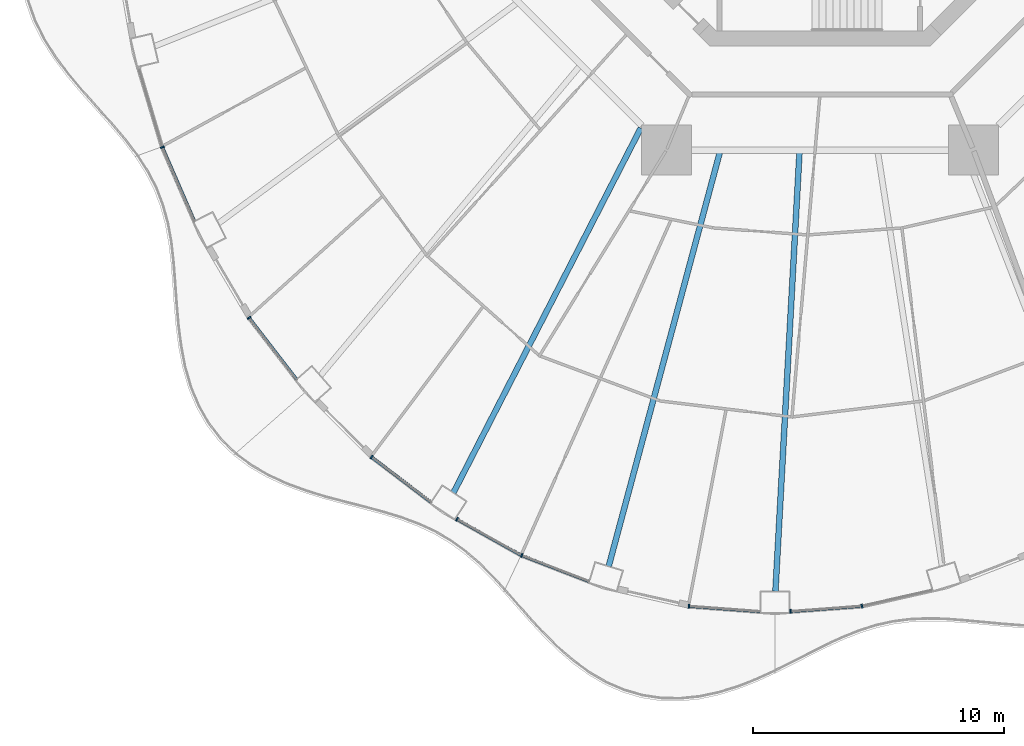
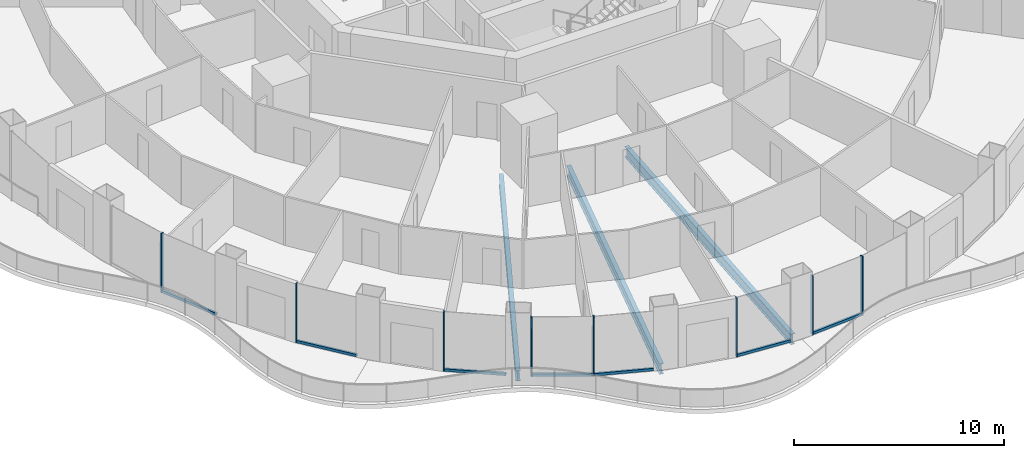
# One storey, part 2 of 20: 15 members, 3 beams, 8 elements without a shape of their own.
"""IFC4 building model written with IfcOpenShell, lengths in metres."""

from ifc_helpers import new_model, si_unit, direction, frame, origin, origin_2d, place, context, subcontext, project, spatial, rectangle, i_section, extrude, material, layer, layer_set, material_profile, profile_set, type_object, element, aggregate, save


model = new_model("IFC4")

# Units and contexts
model_context = context("Model", 3, precision=1e-05, world=origin(), true_north=direction((0.0, 1.0)))
body_context = subcontext(model_context, "Body", "Model", "MODEL_VIEW")
ifc_project = project(units=[si_unit("LENGTHUNIT", "METRE"), si_unit("AREAUNIT", "SQUARE_METRE"), si_unit("VOLUMEUNIT", "CUBIC_METRE"), si_unit("PLANEANGLEUNIT", "RADIAN"), si_unit("MASSUNIT", "GRAM", prefix="KILO")], contexts=[model_context])

# Site, building, storey
site_placement = place(None, origin())
site = spatial("IfcSite", under=ifc_project, at=site_placement, CompositionType="ELEMENT")
building_placement = place(site_placement, origin())
building = spatial("IfcBuilding", under=site, at=building_placement, Name="Nagisa Residences", CompositionType="ELEMENT")
storey_placement = place(building_placement, frame((0.0, 0.0, 119.60009765625)))
storey = spatial("IfcBuildingStorey", under=building, at=storey_placement, Name="L29", CompositionType="ELEMENT", Elevation=119.60009765625)

# Curtain wall, member
ifc_material_1 = material(Name="Concrete-coloured aluminium curtain wall system", Category="concrete")
ifc_layer = layer(ifc_material_1, 0.159912109375)
ifc_layer_set = layer_set([ifc_layer], Name="CW1 CURTAIN WALL")
curtain_wall_type = type_object("IfcCurtainWallType", Name="CW1 CURTAIN WALL", PredefinedType="NOTDEFINED", material=ifc_layer_set)
curtain_wall_1_placement = place(storey_placement, origin())
curtain_wall_1 = element("IfcCurtainWall", 1, at=curtain_wall_1_placement, inside=storey, type_object=curtain_wall_type, Name="cw:CW1:L29:27", PredefinedType="NOTDEFINED")
ifc_material_2 = material(Name="Concrete-coloured aluminium", Category="concrete")
ifc_material_profile_1 = material_profile(ifc_material_2, rectangle(XDim=0.159912109375, YDim=0.06005859375, at=origin_2d()), Name="CW1 MULLION 160x60")
ifc_profile_set_1 = profile_set([ifc_material_profile_1], Name="Concrete-coloured aluminium")
member_type_1 = type_object("IfcMemberType", Name="CW1 MULLION 160x60", PredefinedType="MULLION", material=ifc_profile_set_1)
member_1_placement = place(storey_placement, frame((-26.229736328125, -14.66845703125, 0.0), z_axis=(0.0, 0.0, 1.0), x_axis=(0.917543276295, 0.397635934147, 0.0)))
member_1 = element("IfcMember", 2, at=member_1_placement, type_object=member_type_1, Name="CW1 mullion", PredefinedType="MULLION", context=body_context, shape_type="SweptSolid", body=[
    extrude(rectangle(XDim=0.159912109375, YDim=0.06005859375, at=origin_2d()), origin(), (0.0, 0.0, 1.0), 3.43994140625),
])

curtain_wall_2_placement = place(storey_placement, origin())
curtain_wall_2 = element("IfcCurtainWall", 3, at=curtain_wall_2_placement, inside=storey, type_object=curtain_wall_type, Name="cw:CW1:L29:29", PredefinedType="NOTDEFINED")
member_2_placement = place(storey_placement, frame((-22.77001953125, -21.47412109375, 0.0), z_axis=(0.0, 0.0, 1.0), x_axis=(0.792070340816, 0.610429828235, 0.0)))
member_2 = element("IfcMember", 4, at=member_2_placement, type_object=member_type_1, Name="CW1 mullion", PredefinedType="MULLION", context=body_context, shape_type="SweptSolid", body=[
    extrude(rectangle(XDim=0.159912109375, YDim=0.06005859375, at=origin_2d()), origin(), (0.0, 0.0, 1.0), 3.43994140625),
])

curtain_wall_3_placement = place(storey_placement, origin())
curtain_wall_3 = element("IfcCurtainWall", 5, at=curtain_wall_3_placement, inside=storey, type_object=curtain_wall_type, Name="cw:CW1:L29:31", PredefinedType="NOTDEFINED")
member_3_placement = place(storey_placement, frame((-17.881103515625, -27.027587890625, 0.0), z_axis=(0.0, 0.0, 1.0), x_axis=(0.605255421737, 0.79603132756, 0.0)))
member_3 = element("IfcMember", 6, at=member_3_placement, type_object=member_type_1, Name="CW1 mullion", PredefinedType="MULLION", context=body_context, shape_type="SweptSolid", body=[
    extrude(rectangle(XDim=0.159912109375, YDim=0.06005859375, at=origin_2d()), origin(), (0.0, 0.0, 1.0), 3.43994140625),
])

curtain_wall_4_placement = place(storey_placement, origin())
curtain_wall_4 = element("IfcCurtainWall", 7, at=curtain_wall_4_placement, inside=storey, type_object=curtain_wall_type, Name="cw:CW1:L29:32", PredefinedType="NOTDEFINED")
member_4_placement = place(storey_placement, frame((-14.47900390625, -29.505859375, 0.0), z_axis=(0.0, 0.0, 1.0), x_axis=(0.489376918501, 0.872072377523, 0.0)))
member_4 = element("IfcMember", 8, at=member_4_placement, type_object=member_type_1, Name="CW1 mullion", PredefinedType="MULLION", context=body_context, shape_type="SweptSolid", body=[
    extrude(rectangle(XDim=0.159912109375, YDim=0.06005859375, at=origin_2d()), origin(), (0.0, 0.0, 1.0), 3.43994140625),
])

curtain_wall_5_placement = place(storey_placement, origin())
curtain_wall_5 = element("IfcCurtainWall", 9, at=curtain_wall_5_placement, inside=storey, type_object=curtain_wall_type, Name="cw:CW1:L29:33", PredefinedType="NOTDEFINED")
member_5_placement = place(storey_placement, frame((-11.897705078125, -30.950439453125, 0.0), z_axis=(0.0, 0.0, 1.0), x_axis=(0.360327770268, 0.932825759707, 0.0)))
member_5 = element("IfcMember", 10, at=member_5_placement, type_object=member_type_1, Name="CW1 mullion", PredefinedType="MULLION", context=body_context, shape_type="SweptSolid", body=[
    extrude(rectangle(XDim=0.159912109375, YDim=0.06005859375, at=origin_2d()), origin(), (0.0, 0.0, 1.0), 3.43994140625),
])

curtain_wall_6_placement = place(storey_placement, origin())
curtain_wall_6 = element("IfcCurtainWall", 11, at=curtain_wall_6_placement, inside=storey, type_object=curtain_wall_type, Name="cw:CW1:L29:35", PredefinedType="NOTDEFINED")
member_6_placement = place(storey_placement, frame((-5.2275390625, -32.976806640625, 0.0), z_axis=(0.0, 0.0, 1.0), x_axis=(0.074377355493, 0.997230168512, 0.0)))
member_6 = element("IfcMember", 12, at=member_6_placement, type_object=member_type_1, Name="CW1 mullion", PredefinedType="MULLION", context=body_context, shape_type="SweptSolid", body=[
    extrude(rectangle(XDim=0.159912109375, YDim=0.06005859375, at=origin_2d()), origin(), (0.0, 0.0, 1.0), 3.43994140625),
])

curtain_wall_7_placement = place(storey_placement, origin())
curtain_wall_7 = element("IfcCurtainWall", 13, at=curtain_wall_7_placement, inside=storey, type_object=curtain_wall_type, Name="cw:CW1:L29:36", PredefinedType="NOTDEFINED")
member_7_placement = place(storey_placement, frame((-1.177734375, -33.18603515625, 0.0), z_axis=(0.0, 0.0, 1.0), x_axis=(-0.074377355493, 0.997230168512, 0.0)))
member_7 = element("IfcMember", 14, at=member_7_placement, type_object=member_type_1, Name="CW1 mullion", PredefinedType="MULLION", context=body_context, shape_type="SweptSolid", body=[
    extrude(rectangle(XDim=0.159912109375, YDim=0.06005859375, at=origin_2d()), origin(), (0.0, 0.0, 1.0), 3.43994140625),
])

curtain_wall_8_placement = place(storey_placement, origin())
curtain_wall_8 = element("IfcCurtainWall", 15, at=curtain_wall_8_placement, inside=storey, type_object=curtain_wall_type, Name="cw:CW1:L29:37", PredefinedType="NOTDEFINED")
member_8_placement = place(storey_placement, frame((1.675048828125, -32.9697265625, 0.0), z_axis=(0.0, 0.0, 1.0), x_axis=(-0.2207639201, 0.975327274089, 0.0)))
member_8 = element("IfcMember", 16, at=member_8_placement, type_object=member_type_1, Name="CW1 mullion", PredefinedType="MULLION", context=body_context, shape_type="SweptSolid", body=[
    extrude(rectangle(XDim=0.159912109375, YDim=0.06005859375, at=origin_2d()), origin(), (0.0, 0.0, 1.0), 3.43994140625),
])
aggregate(curtain_wall_8, [member_8])

# Member
ifc_material_3 = material(Name="Concrete-coloured aluminium", Category="concrete")
ifc_material_profile_2 = material_profile(ifc_material_3, rectangle(XDim=0.1201171875, YDim=0.14990234375, at=origin_2d()), Name="CW1 TRANSOM 120x150")
ifc_profile_set_2 = profile_set([ifc_material_profile_2], Name="Concrete-coloured aluminium")
member_type_2 = type_object("IfcMemberType", Name="CW1 TRANSOM 120x150", PredefinedType="USERDEFINED", material=ifc_profile_set_2)
member_9_placement = place(storey_placement, frame((-26.24169921875, -14.64111328125, 0.074951171875), z_axis=(0.397666272939, -0.917530127771, 0.0), x_axis=(0.917530127771, 0.397666272939, 0.0)))
member_9 = element("IfcMember", 17, at=member_9_placement, type_object=member_type_2, Name="CW1 transom", ObjectType="TRANSOM", PredefinedType="USERDEFINED", context=body_context, shape_type="SweptSolid", body=[
    extrude(rectangle(XDim=0.1201171875, YDim=0.14990234375, at=origin_2d()), origin(), (0.0, 0.0, 1.0), 3.260498046875),
])

aggregate(curtain_wall_1, [member_1, member_9])

member_10_placement = place(storey_placement, frame((-22.788330078125, -21.450439453125, 0.074951171875), z_axis=(0.610429847179, -0.792070326217, 0.0), x_axis=(0.792070326217, 0.610429847179, 0.0)))
member_10 = element("IfcMember", 18, at=member_10_placement, type_object=member_type_2, Name="CW1 transom", ObjectType="TRANSOM", PredefinedType="USERDEFINED", context=body_context, shape_type="SweptSolid", body=[
    extrude(rectangle(XDim=0.1201171875, YDim=0.14990234375, at=origin_2d()), origin(), (0.0, 0.0, 1.0), 3.149169921875),
])

aggregate(curtain_wall_2, [member_2, member_10])

member_11_placement = place(storey_placement, frame((-17.905029296875, -27.00927734375, 0.074951171875), z_axis=(0.796022231079, -0.605267385233, 0.0), x_axis=(0.605267385233, 0.796022231079, 0.0)))
member_11 = element("IfcMember", 19, at=member_11_placement, type_object=member_type_2, Name="CW1 transom", ObjectType="TRANSOM", PredefinedType="USERDEFINED", context=body_context, shape_type="SweptSolid", body=[
    extrude(rectangle(XDim=0.1201171875, YDim=0.14990234375, at=origin_2d()), origin(), (0.0, 0.0, 1.0), 3.025634765625),
])

aggregate(curtain_wall_3, [member_3, member_11])

member_12_placement = place(storey_placement, frame((-14.505126953125, -29.4912109375, 0.074951171875), z_axis=(0.87206688547, -0.489386705241, 0.0), x_axis=(0.489386705241, 0.87206688547, 0.0)))
member_12 = element("IfcMember", 20, at=member_12_placement, type_object=member_type_2, Name="CW1 transom", ObjectType="TRANSOM", PredefinedType="USERDEFINED", context=body_context, shape_type="SweptSolid", body=[
    extrude(rectangle(XDim=0.1201171875, YDim=0.14990234375, at=origin_2d()), origin(), (0.0, 0.0, 1.0), 2.9697265625),
])

aggregate(curtain_wall_4, [member_4, member_12])

member_13_placement = place(storey_placement, frame((-11.92578125, -30.939697265625, 0.074951171875), z_axis=(0.932845344347, -0.360277064952, 0.0), x_axis=(0.360277064952, 0.932845344347, 0.0)))
member_13 = element("IfcMember", 21, at=member_13_placement, type_object=member_type_2, Name="CW1 transom", ObjectType="TRANSOM", PredefinedType="USERDEFINED", context=body_context, shape_type="SweptSolid", body=[
    extrude(rectangle(XDim=0.1201171875, YDim=0.14990234375, at=origin_2d()), origin(), (0.0, 0.0, 1.0), 2.92333984375),
])

aggregate(curtain_wall_5, [member_5, member_13])

member_14_placement = place(storey_placement, frame((-5.257568359375, -32.974609375, 0.074951171875), z_axis=(0.997232166829, -0.074350557769, 0.0), x_axis=(0.074350557769, 0.997232166829, 0.0)))
member_14 = element("IfcMember", 22, at=member_14_placement, type_object=member_type_2, Name="CW1 transom", ObjectType="TRANSOM", PredefinedType="USERDEFINED", context=body_context, shape_type="SweptSolid", body=[
    extrude(rectangle(XDim=0.1201171875, YDim=0.14990234375, at=origin_2d()), origin(), (0.0, 0.0, 1.0), 2.873291015625),
])

aggregate(curtain_wall_6, [member_6, member_14])

member_15_placement = place(storey_placement, frame((-1.20751953125, -33.188232421875, 0.074951171875), z_axis=(0.997231697044, 0.074356858535, 0.0), x_axis=(-0.074356858535, 0.997231697044, 0.0)))
member_15 = element("IfcMember", 23, at=member_15_placement, type_object=member_type_2, Name="CW1 transom", ObjectType="TRANSOM", PredefinedType="USERDEFINED", context=body_context, shape_type="SweptSolid", body=[
    extrude(rectangle(XDim=0.1201171875, YDim=0.14990234375, at=origin_2d()), origin(), (0.0, 0.0, 1.0), 2.873046875),
])

aggregate(curtain_wall_7, [member_7, member_15])

# Beams
ifc_material_4 = material(Name="Steel ASTM A572 Gr 50", Category="steel")
ifc_material_profile_3 = material_profile(ifc_material_4, i_section(OverallWidth=0.22900390625, OverallDepth=0.612060546875, WebThickness=0.011962890625, FlangeThickness=0.01953125, at=origin_2d()), Name="W610x125")
ifc_profile_set_3 = profile_set([ifc_material_profile_3], Name="Steel ASTM A572 Gr 50")
beam_type = type_object("IfcBeamType", Name="Radial beam W610x125", PredefinedType="BEAM", material=ifc_profile_set_3)
beam_1_placement = place(storey_placement, frame((-14.619873046875, -28.449462890625, -0.566162109375), z_axis=(0.457072968779, 0.889429199662, 0.0), x_axis=(-0.889429199662, 0.457072968779, 0.0)))
element("IfcBeam", 24, at=beam_1_placement, inside=storey, type_object=beam_type, Name="beam:L29:rb17", PredefinedType="BEAM", context=body_context, shape_type="SweptSolid", body=[
    extrude(i_section(OverallWidth=0.22900390625, OverallDepth=0.612060546875, WebThickness=0.011962890625, FlangeThickness=0.01953125, at=origin_2d()), origin(), (0.0, 0.0, 1.0), 16.347412109375),
])
beam_2_placement = place(storey_placement, frame((-8.4267578125, -31.38525390625, -0.566162109375), z_axis=(0.25930906211, 0.965794393392, 0.0), x_axis=(-0.965794393392, 0.25930906211, 0.0)))
element("IfcBeam", 25, at=beam_2_placement, inside=storey, type_object=beam_type, Name="beam:L29:rb18", PredefinedType="BEAM", context=body_context, shape_type="SweptSolid", body=[
    extrude(i_section(OverallWidth=0.22900390625, OverallDepth=0.612060546875, WebThickness=0.011962890625, FlangeThickness=0.01953125, at=origin_2d()), origin(), (0.0, 0.0, 1.0), 17.079833984375),
])
beam_3_placement = place(storey_placement, frame((-1.7763671875, -32.382568359375, -0.566162109375), z_axis=(0.054779249477, 0.998498489647, 0.0), x_axis=(-0.998498489647, 0.054779249477, 0.0)))
element("IfcBeam", 26, at=beam_3_placement, inside=storey, type_object=beam_type, Name="beam:L29:rb19", PredefinedType="BEAM", context=body_context, shape_type="SweptSolid", body=[
    extrude(i_section(OverallWidth=0.22900390625, OverallDepth=0.612060546875, WebThickness=0.011962890625, FlangeThickness=0.01953125, at=origin_2d()), origin(), (0.0, 0.0, 1.0), 17.519775390625),
])

save(model, "model.ifc")
